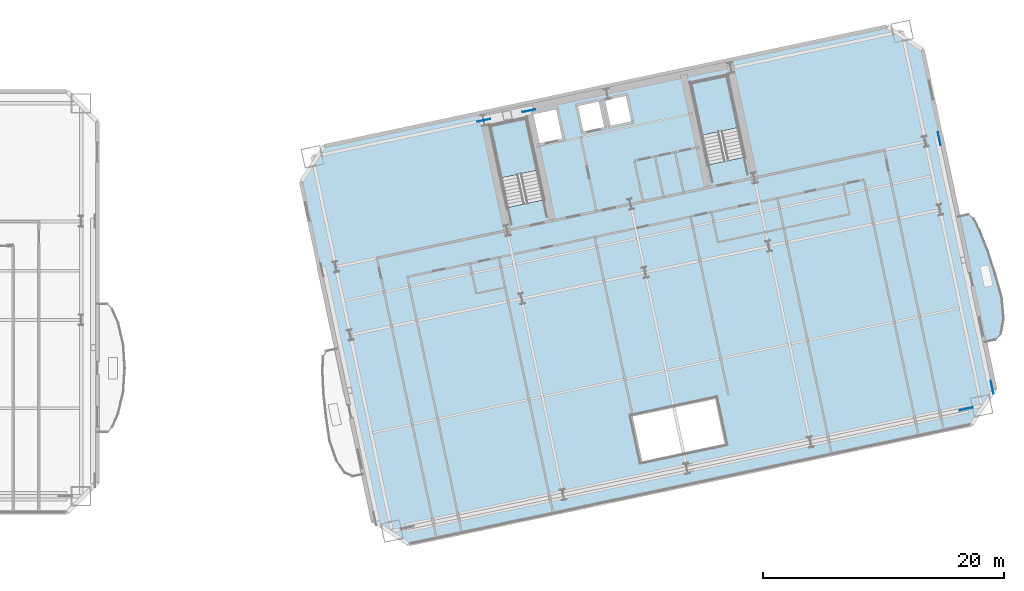
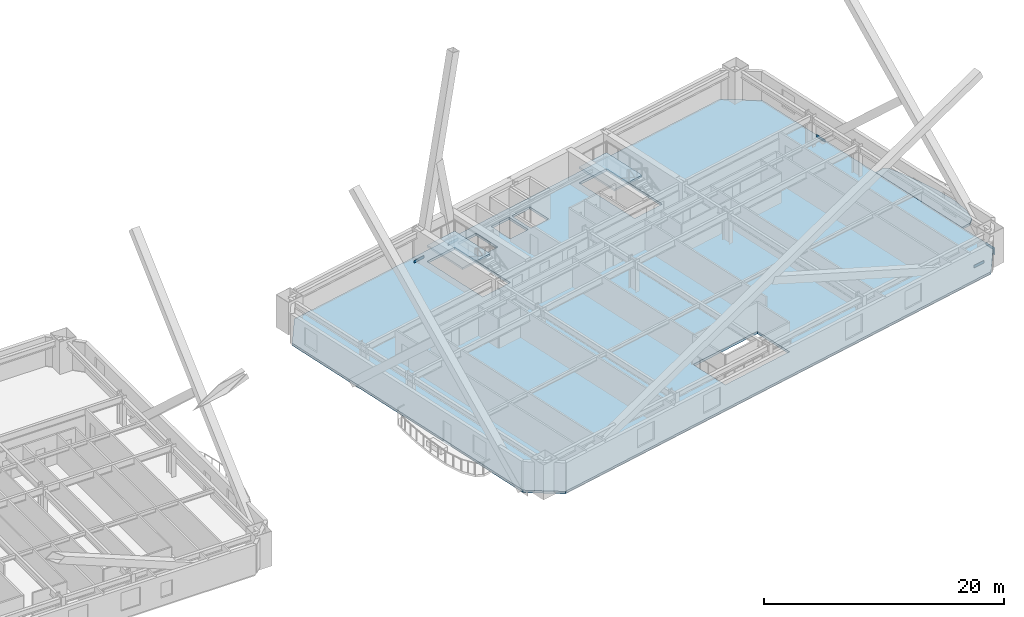
# One storey, part 6 of 20: 5 plates, 4 slabs, 2 elements without a shape of their own.
"""IFC4 building model written with IfcOpenShell, lengths in metres."""

from ifc_helpers import new_model, si_unit, direction, frame, origin, origin_2d, place, context, subcontext, project, spatial, polyline, rectangle, outline, extrude, material, layer, layer_set, type_object, element, aggregate, save


model = new_model("IFC4")

# Units and contexts
model_context = context("Model", 3, precision=1e-05, world=origin(), true_north=direction((0.0, 1.0)))
body_context = subcontext(model_context, "Body", "Model", "MODEL_VIEW")
ifc_project = project(units=[si_unit("LENGTHUNIT", "METRE"), si_unit("AREAUNIT", "SQUARE_METRE"), si_unit("VOLUMEUNIT", "CUBIC_METRE"), si_unit("PLANEANGLEUNIT", "RADIAN"), si_unit("MASSUNIT", "GRAM", prefix="KILO")], contexts=[model_context])

# Site, building, storey
site_placement = place(None, origin())
site = spatial("IfcSite", under=ifc_project, at=site_placement, CompositionType="ELEMENT")
building_placement = place(site_placement, origin())
building = spatial("IfcBuilding", under=site, at=building_placement, Name="Haevon Station Towers", CompositionType="ELEMENT")
storey_placement = place(building_placement, frame((0.0, 0.0, 30.60009765625)))
storey = spatial("IfcBuildingStorey", under=building, at=storey_placement, Name="L06", CompositionType="ELEMENT", Elevation=30.60009765625)

# Plates
ifc_material_1 = material(Name="PL-SPL1", Category="steel")
ifc_layer_1 = layer(ifc_material_1, 0.031982421875)
ifc_layer_set_1 = layer_set([ifc_layer_1], Name="PL-SPL1")
plate_type = type_object("IfcPlateType", Name="PL-SPL1", PredefinedType="USERDEFINED", material=ifc_layer_set_1)
for number, where, z_axis, x_axis, name in (
    (1, (136.921630859375, 22.60400390625, -0.4951171875), (0.0, 0.0, 1.0), (0.978147600734, 0.207911690818, 0.0), "PL-T2SPL-T00-S-2"),
    (2, (96.808349609375, 46.588134765625, -0.4951171875), (0.0, 0.0, 1.0), (0.978147600734, 0.207911690818, 0.0), "PL-T2SPL-T00-N-1"),
    (3, (100.57421875, 47.388671875, -0.4951171875), (0.0, 0.0, 1.0), (0.978147600734, 0.207911690818, 0.0), "PL-T2SPL-T00-N-2"),
    (4, (139.0673828125, 24.38916015625, -0.4951171875), (0.0, 0.0, 1.0), (-0.207911690818, 0.978147600734, 0.0), "PL-T2SPL-T00-E-1"),
    (5, (134.669921875, 45.076904296875, -0.4951171875), (0.0, 0.0, 1.0), (-0.207911690818, 0.978147600734, 0.0), "PL-T2SPL-T00-E-2"),
):
    element("IfcPlate", number, at=place(storey_placement, frame(where, z_axis=z_axis, x_axis=x_axis)), inside=storey, type_object=plate_type, Name=name, ObjectType="SPLICE_PLATE", PredefinedType="USERDEFINED", context=body_context, shape_type="SweptSolid", body=[
        extrude(rectangle(XDim=1.10009765625, YDim=0.031982421875, at=origin_2d()), origin(), (0.0, 0.0, 1.0), 0.75),
    ])

# Slab
ifc_material_2 = material(Name="Concrete C40/50", Category="concrete")
ifc_layer_2 = layer(ifc_material_2, 0.219970703125)
ifc_layer_set_2 = layer_set([ifc_layer_2], Name="Concrete C40/50")
slab_type_1 = type_object("IfcSlabType", Name="SL-BALC220", PredefinedType="FLOOR", material=ifc_layer_set_2)
slab_1_placement = place(storey_placement, frame((0.0, 0.0, -0.22021484375)))
element("IfcSlab", 6, at=slab_1_placement, inside=storey, type_object=slab_type_1, Name="Tower 2 L06 East SCALLOPED BALCONY", PredefinedType="FLOOR", context=body_context, shape_type="SweptSolid", body=[
    extrude(outline(polyline([(138.468505859375, 28.095703125), (139.331298828125, 28.279052734375), (139.814453125, 28.802001953125), (140.051025390625, 30.048828125), (139.90673828125, 31.809326171875), (139.39990234375, 33.814208984375), (138.7119140625, 35.780517578125), (138.051025390625, 37.43115234375), (137.5146484375, 38.513916015625), (137.0859375, 38.843017578125), (136.22314453125, 38.65966796875), (138.468505859375, 28.095703125)])), origin(), (0.0, 0.0, 1.0), 0.22021484375),
])

# Stair, slab
stair_type = type_object("IfcStairType", Name="STR-DL1450", PredefinedType="USERDEFINED", material=ifc_material_2)
stair_1_placement = place(storey_placement, origin())
stair_1 = element("IfcStair", 7, at=stair_1_placement, inside=storey, type_object=stair_type, Name="L06 Escape Stair ST3", ObjectType="TWO_RETURN_STAIR", PredefinedType="USERDEFINED")
ifc_layer_3 = layer(ifc_material_2, 0.199951171875)
ifc_layer_set_3 = layer_set([ifc_layer_3], Name="Concrete C40/50")
slab_type_2 = type_object("IfcSlabType", Name="SL-LND200", PredefinedType="LANDING", material=ifc_layer_set_3)
slab_2_placement = place(storey_placement, frame((0.0, 0.0, 1.449951171875)))
slab_2 = element("IfcSlab", 8, at=slab_2_placement, type_object=slab_type_2, Name="L06 ST3 Half Landing 1", PredefinedType="LANDING", context=body_context, shape_type="SweptSolid", body=[
    extrude(outline(polyline([(101.2880859375, 42.44287109375), (100.36572265625, 46.781982421875), (97.33349609375, 46.137451171875), (98.255859375, 41.79833984375), (101.2880859375, 42.44287109375)])), origin(), (0.0, 0.0, 1.0), 0.199951171875),
])
aggregate(stair_1, [slab_2])

stair_2_placement = place(storey_placement, origin())
stair_2 = element("IfcStair", 9, at=stair_2_placement, inside=storey, type_object=stair_type, Name="L06 Escape Stair ST4", ObjectType="TWO_RETURN_STAIR", PredefinedType="USERDEFINED")
slab_3_placement = place(storey_placement, frame((0.0, 0.0, 1.449951171875)))
slab_3 = element("IfcSlab", 10, at=slab_3_placement, type_object=slab_type_2, Name="L06 ST4 Half Landing 1", PredefinedType="LANDING", context=body_context, shape_type="SweptSolid", body=[
    extrude(outline(polyline([(117.975341796875, 45.989990234375), (117.052978515625, 50.328857421875), (114.020751953125, 49.684326171875), (114.943115234375, 45.345458984375), (117.975341796875, 45.989990234375)])), origin(), (0.0, 0.0, 1.0), 0.199951171875),
])
aggregate(stair_2, [slab_3])

# Slab
ifc_layer_4 = layer(ifc_material_2, 0.25)
ifc_layer_set_4 = layer_set([ifc_layer_4], Name="Concrete C40/50")
slab_type_3 = type_object("IfcSlabType", Name="SL-TW250", PredefinedType="FLOOR", material=ifc_layer_set_4)
slab_4_placement = place(storey_placement, frame((0.0, 0.0, -0.25)))
element("IfcSlab", 11, at=slab_4_placement, inside=storey, type_object=slab_type_3, Name="SL-T2-L06", PredefinedType="FLOOR", context=body_context, shape_type="SweptSolid", body=[
    extrude(outline(polyline([(90.593505859375, 11.37646484375), (137.348876953125, 21.314697265625), (139.2744140625, 24.27978515625), (133.28662109375, 52.450439453125), (130.321533203125, 54.3759765625), (83.566162109375, 44.43798828125), (81.640380859375, 41.47265625), (87.62841796875, 13.302001953125), (90.593505859375, 11.37646484375)]), holes=[polyline([(101.8095703125, 39.98974609375), (100.36572265625, 46.781982421875), (97.33349609375, 46.137451171875), (98.77734375, 39.34521484375), (101.8095703125, 39.98974609375)]), polyline([(118.496826171875, 43.53662109375), (117.052978515625, 50.328857421875), (114.020751953125, 49.684326171875), (115.464599609375, 42.89208984375), (118.496826171875, 43.53662109375)]), polyline([(101.43212890625, 44.554931640625), (103.486328125, 44.99169921875), (102.9248046875, 47.632568359375), (100.870849609375, 47.196044921875), (101.43212890625, 44.554931640625)]), polyline([(105.009765625, 45.519775390625), (106.966064453125, 45.935791015625), (106.467041015625, 48.283203125), (104.5107421875, 47.867431640625), (105.009765625, 45.519775390625)]), polyline([(107.259521484375, 45.998046875), (109.2158203125, 46.413818359375), (108.716796875, 48.761474609375), (106.760498046875, 48.345703125), (107.259521484375, 45.998046875)]), polyline([(109.9091796875, 18.140380859375), (116.951904296875, 19.63720703125), (116.120361328125, 23.5498046875), (109.07763671875, 22.052978515625), (109.9091796875, 18.140380859375)])]), origin(), (0.0, 0.0, 1.0), 0.25),
])

save(model, "model.ifc")
